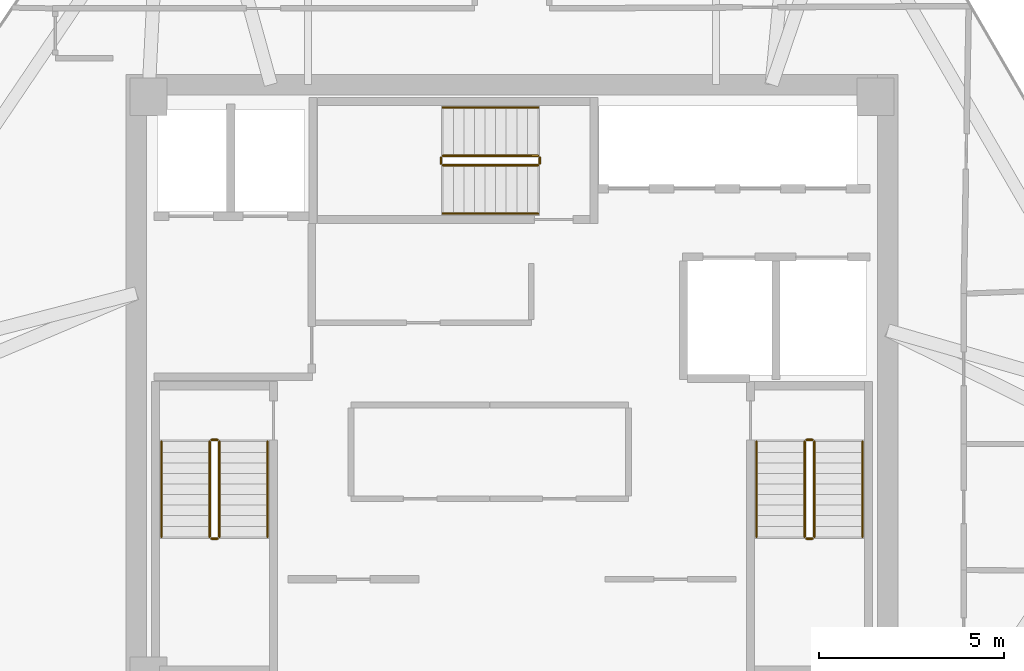
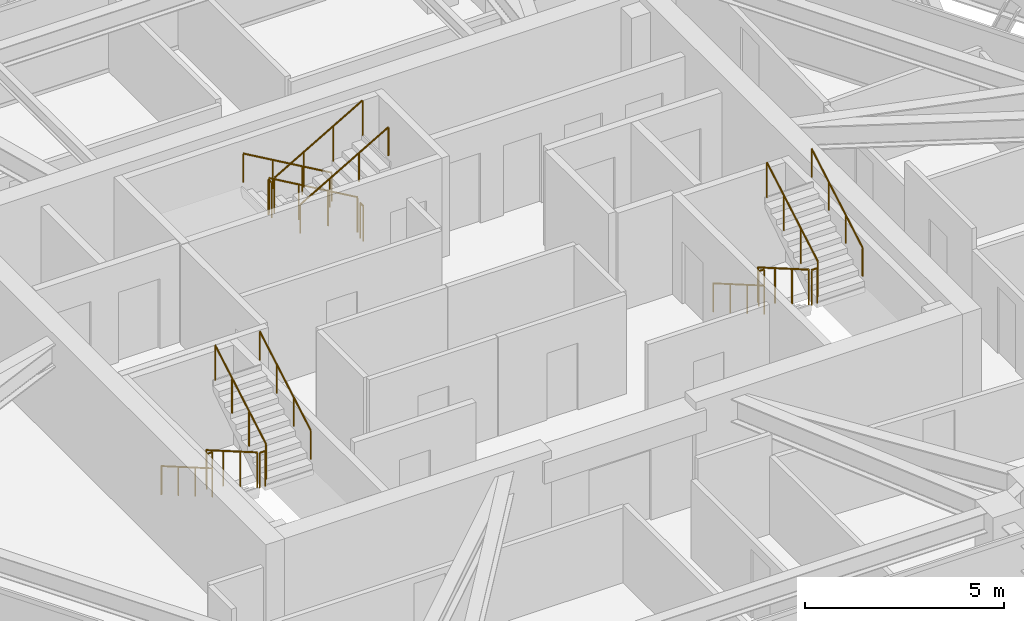
# One storey, part 11 of 11: 18 railings.
"""IFC4 building model written with IfcOpenShell, lengths in metres."""

import ifcopenshell
import ifcopenshell.guid

model = None  # the IFC model being written
_history = None  # IfcOwnerHistory: only IFC2X3 demands one
_inside = {}  # id of a spatial element -> (the spatial element, [elements in it])
_under = {}  # id of a project, library or spatial element -> (it, [spatial elements below it])
_declared = {}  # id of a project -> (the project, [libraries it declares])
_typed = {}  # id of a type object -> (the type object, [elements of that type])
_made_of = {}  # id of a material, layer set ... -> (it, [elements and type objects made of it])


def new_model(schema):
    """Start an empty IFC model of exactly this schema.

    Asked for "IFC4X3", IfcOpenShell would pick the latest addendum, in which some entities
    have other attributes; the version numbers below select the first issue.
    IFC2X3 requires an IfcOwnerHistory on every rooted entity: one is made here for all.
    """
    global model, _history
    if schema == "IFC4X3":
        model = ifcopenshell.file(schema_version=(4, 3, 0, 0))
    else:
        model = ifcopenshell.file(schema=schema)
    _inside.clear()
    _under.clear()
    _declared.clear()
    _typed.clear()
    _made_of.clear()
    _history = None
    if model.schema == "IFC2X3":
        org = make("IfcOrganization", Name="unknown")
        user = make(
            "IfcPersonAndOrganization",
            ThePerson=make("IfcPerson", FamilyName="unknown"),
            TheOrganization=org,
        )
        app = make(
            "IfcApplication",
            ApplicationDeveloper=org,
            Version="unknown",
            ApplicationFullName="unknown",
            ApplicationIdentifier="unknown",
        )
        _history = make(
            "IfcOwnerHistory",
            OwningUser=user,
            OwningApplication=app,
            ChangeAction="ADDED",
            CreationDate=0,
        )
    return model


def make(cls, **values):
    """One entity of the class cls with the attributes given. An attribute that is None is left unset."""
    return model.create_entity(
        cls, **{name: value for name, value in values.items() if value is not None}
    )


def rooted(cls, **values):
    """An entity with a GlobalId (a new one), such as an element, a storey or a relation."""
    return make(cls, GlobalId=ifcopenshell.guid.new(), OwnerHistory=_history, **values)


def si_unit(unit_type, name, prefix=None):
    """IfcSIUnit, for example si_unit("LENGTHUNIT", "METRE", prefix="MILLI")."""
    return make("IfcSIUnit", UnitType=unit_type, Prefix=prefix, Name=name)


def assignment(units):
    """IfcUnitAssignment: the units of a project."""
    return None if units is None else make("IfcUnitAssignment", Units=units)


def point(xyz):
    """IfcCartesianPoint."""
    return None if xyz is None else make("IfcCartesianPoint", Coordinates=xyz)


def direction(xyz):
    """IfcDirection."""
    return None if xyz is None else make("IfcDirection", DirectionRatios=xyz)


def frame(location, z_axis=None, x_axis=None):
    """IfcAxis2Placement3D, a coordinate frame: its origin and axes. An axis left out is left unset."""
    return make(
        "IfcAxis2Placement3D",
        Location=point(location),
        Axis=direction(z_axis),
        RefDirection=direction(x_axis),
    )


def frame_2d(location, x_axis=None):
    """IfcAxis2Placement2D, a coordinate frame in the plane: its origin and x axis."""
    return make(
        "IfcAxis2Placement2D", Location=point(location), RefDirection=direction(x_axis)
    )


def origin():
    """The frame at (0, 0, 0) with its axes left unset."""
    return frame((0.0, 0.0, 0.0))


def origin_2d():
    """The frame at (0, 0) in the plane with its x axis left unset."""
    return frame_2d((0.0, 0.0))


def place(relative_to, where):
    """IfcLocalPlacement: puts the frame where relative to a parent placement (None: the world)."""
    return make(
        "IfcLocalPlacement", PlacementRelTo=relative_to, RelativePlacement=where
    )


def context(
    kind, dimensions, precision=None, world=None, true_north=None, identifier=None
):
    """IfcGeometricRepresentationContext, for example the 3D "Model" context."""
    return make(
        "IfcGeometricRepresentationContext",
        ContextIdentifier=identifier,
        ContextType=kind,
        CoordinateSpaceDimension=dimensions,
        Precision=precision,
        WorldCoordinateSystem=world,
        TrueNorth=true_north,
    )


def subcontext(parent, identifier, kind, view, scale=None):
    """IfcGeometricRepresentationSubContext, for example "Body" below "Model"."""
    return make(
        "IfcGeometricRepresentationSubContext",
        ContextIdentifier=identifier,
        ContextType=kind,
        ParentContext=parent,
        TargetScale=scale,
        TargetView=view,
    )


def project(units=None, contexts=None):
    """IfcProject with its units and contexts."""
    return rooted(
        "IfcProject",
        Name="project",
        RepresentationContexts=contexts,
        UnitsInContext=assignment(units),
    )


def spatial(cls, under=None, at=None, **own):
    """A site, building, storey or space (cls), placed at a placement, below another one or the project."""
    s = rooted(cls, ObjectPlacement=at, **own)
    if under is not None:
        _under.setdefault(under.id(), (under, []))[1].append(s)
    return s


def profile(cls, at=None, kind="AREA", **sizes):
    """A parametric profile (cls). Its sizes go by their IFC names, for example OverallWidth=200.0."""
    return make(cls, ProfileType=kind, Position=at, **sizes)


def circle(**sizes):
    """IfcCircleProfileDef."""
    return profile("IfcCircleProfileDef", **sizes)


def extrude(swept, where, along, depth):
    """IfcExtrudedAreaSolid: the profile swept, set in the frame where, extruded along a direction by depth."""
    return make(
        "IfcExtrudedAreaSolid",
        SweptArea=swept,
        Position=where,
        ExtrudedDirection=direction(along),
        Depth=depth,
    )


def shape(context_of_items, identifier, shape_type, items):
    """IfcShapeRepresentation: the items that make up one representation, for example the "Body"."""
    return make(
        "IfcShapeRepresentation",
        ContextOfItems=context_of_items,
        RepresentationIdentifier=identifier,
        RepresentationType=shape_type,
        Items=items,
    )


def material(Name=None, Category=None):
    """IfcMaterial."""
    return make("IfcMaterial", Name=Name, Category=Category)


def made_of(thing, what):
    """Note that an element or type object is made of a material, layer set ...; save() writes the relation."""
    if what is not None:
        _made_of.setdefault(what.id(), (what, []))[1].append(thing)
    return thing


def type_object(cls, material=None, **own):
    """A type object (cls), such as IfcWallType, which elements share."""
    return made_of(rooted(cls, **own), material)


def element(
    cls,
    number,
    at=None,
    inside=None,
    cuts=None,
    type_object=None,
    material=None,
    context=None,
    identifier="Body",
    shape_type=None,
    held_by="IfcProductDefinitionShape",
    body=None,
    shapes=None,
    **own,
):
    """One element of the class cls, such as IfcWall. Its Tag is "e" and its number.

    at: its placement. inside: the storey or other place that contains it. cuts: it is an
    opening in that element (IfcRelVoidsElement). A single representation is given by context,
    identifier, shape_type and body (its items); several are given by shapes. held_by: the class
    of the entity that holds the representations. save() writes the other relations.
    """
    e = rooted(cls, Tag="e%d" % number, ObjectPlacement=at, **own)
    if body is not None:
        shapes = [shape(context, identifier, shape_type, body)]
    if shapes is not None:
        e.Representation = make(held_by, Representations=shapes)
    if inside is not None:
        _inside.setdefault(inside.id(), (inside, []))[1].append(e)
    if cuts is not None:
        rooted(
            "IfcRelVoidsElement", RelatingBuildingElement=cuts, RelatedOpeningElement=e
        )
    if type_object is not None:
        _typed.setdefault(type_object.id(), (type_object, []))[1].append(e)
    return made_of(e, material)


def aggregate(whole, parts):
    """IfcRelAggregates: a whole, such as a stair, and the parts it consists of."""
    return rooted("IfcRelAggregates", RelatingObject=whole, RelatedObjects=parts)


def save(model, path):
    """Write the relations noted so far, then the file.

    IfcRelAggregates (storeys below a building ...), IfcRelContainedInSpatialStructure (elements
    in a storey), IfcRelDefinesByType, IfcRelAssociatesMaterial and IfcRelDeclares: one each for
    every whole, place, type object, material and project.
    """
    for whole, parts in _under.values():
        aggregate(whole, parts)
    for where, things in _inside.values():
        rooted(
            "IfcRelContainedInSpatialStructure",
            RelatedElements=things,
            RelatingStructure=where,
        )
    for kind, things in _typed.values():
        rooted("IfcRelDefinesByType", RelatedObjects=things, RelatingType=kind)
    for what, things in _made_of.values():
        rooted("IfcRelAssociatesMaterial", RelatedObjects=things, RelatingMaterial=what)
    for by, libraries in _declared.values():
        rooted("IfcRelDeclares", RelatingContext=by, RelatedDefinitions=libraries)
    model.write(path)


model = new_model("IFC4")

# Units and contexts
model_context = context("Model", 3, precision=1e-05, world=origin(), true_north=direction((0.0, 1.0)))
body_context = subcontext(model_context, "Body", "Model", "MODEL_VIEW")
ifc_project = project(units=[si_unit("LENGTHUNIT", "METRE"), si_unit("AREAUNIT", "SQUARE_METRE"), si_unit("VOLUMEUNIT", "CUBIC_METRE"), si_unit("PLANEANGLEUNIT", "RADIAN"), si_unit("MASSUNIT", "GRAM", prefix="KILO")], contexts=[model_context])

# Site, building, storey
site_placement = place(None, origin())
site = spatial("IfcSite", under=ifc_project, at=site_placement, CompositionType="ELEMENT")
building_placement = place(site_placement, origin())
building = spatial("IfcBuilding", under=site, at=building_placement, Name="Durnholm Broadcast Tower", CompositionType="ELEMENT")
storey_placement = place(building_placement, frame((0.0, 0.0, 224.89990234375)))
storey = spatial("IfcBuildingStorey", under=building, at=storey_placement, Name="L62", CompositionType="ELEMENT", Elevation=224.89990234375)

# Railings
ifc_material_1 = material(Name="Painted Tubular Steel Stair Guardrail", Category="steel")
railing_type_1 = type_object("IfcRailingType", Name="RAIL-ST-GRD", PredefinedType="GUARDRAIL", material=ifc_material_1)
railing_1_placement = place(storey_placement, frame((-8.14990234375, -1.5, 0.1650390625)))
element("IfcRailing", 1, at=railing_1_placement, inside=storey, type_object=railing_type_1, Name="L62 ST-1 stair guard 1", PredefinedType="GUARDRAIL", context=body_context, shape_type="SweptSolid", body=[
    extrude(circle(Radius=0.02392578125, at=origin_2d()), frame((0.0, 0.0, 1.076171875), z_axis=(0.0, -0.865405606168, 0.501071987656), x_axis=(1.0, 0.0, 0.0)), (0.0, 0.0, 1.0), 2.9638671875),
    extrude(circle(Radius=0.02099609375, at=origin_2d()), origin(), (0.0, 0.0, 1.0), 1.052001953125),
    extrude(circle(Radius=0.02099609375, at=origin_2d()), frame((0.0, -0.85498046875, 0.4951171875)), (0.0, 0.0, 1.0), 1.052001953125),
    extrude(circle(Radius=0.02099609375, at=origin_2d()), frame((0.0, -1.7099609375, 0.989990234375)), (0.0, 0.0, 1.0), 1.052001953125),
    extrude(circle(Radius=0.02099609375, at=origin_2d()), frame((0.0, -2.56494140625, 1.485107421875)), (0.0, 0.0, 1.0), 1.052001953125),
])
railing_2_placement = place(storey_placement, frame((-8.10009765625, -4.114990234375, 1.650146484375)))
element("IfcRailing", 2, at=railing_2_placement, inside=storey, type_object=railing_type_1, Name="L62 ST-1 stair guard 2", PredefinedType="GUARDRAIL", context=body_context, shape_type="SweptSolid", body=[
    extrude(circle(Radius=0.02392578125, at=origin_2d()), frame((0.0, 0.0, 1.076171875), z_axis=(1.0, 0.0, 0.0), x_axis=(0.0, 1.0, 0.0)), (0.0, 0.0, 1.0), 0.16015625),
    extrude(circle(Radius=0.02099609375, at=origin_2d()), origin(), (0.0, 0.0, 1.0), 1.052001953125),
    extrude(circle(Radius=0.02099609375, at=origin_2d()), frame((0.16015625, 0.0, 0.0)), (0.0, 0.0, 1.0), 1.052001953125),
])
railing_3_placement = place(storey_placement, frame((-7.889892578125, -4.06494140625, 1.815185546875)))
element("IfcRailing", 3, at=railing_3_placement, inside=storey, type_object=railing_type_1, Name="L62 ST-1 stair guard 3", PredefinedType="GUARDRAIL", context=body_context, shape_type="SweptSolid", body=[
    extrude(circle(Radius=0.02392578125, at=origin_2d()), frame((0.0, 0.0, 1.076171875), z_axis=(0.0, 0.865441324677, 0.50101029285), x_axis=(-1.0, 0.0, 0.0)), (0.0, 0.0, 1.0), 2.963623046875),
    extrude(circle(Radius=0.02099609375, at=origin_2d()), origin(), (0.0, 0.0, 1.0), 1.052001953125),
    extrude(circle(Radius=0.02099609375, at=origin_2d()), frame((0.0, 0.85498046875, 0.494873046875)), (0.0, 0.0, 1.0), 1.052001953125),
    extrude(circle(Radius=0.02099609375, at=origin_2d()), frame((0.0, 1.7099609375, 0.989990234375)), (0.0, 0.0, 1.0), 1.052001953125),
    extrude(circle(Radius=0.02099609375, at=origin_2d()), frame((0.0, 2.56494140625, 1.48486328125)), (0.0, 0.0, 1.0), 1.052001953125),
])
railing_4_placement = place(storey_placement, frame((-8.10009765625, -1.449951171875, 0.0)))
element("IfcRailing", 4, at=railing_4_placement, inside=storey, type_object=railing_type_1, Name="L62 ST-1 stair guard 4", PredefinedType="GUARDRAIL", context=body_context, shape_type="SweptSolid", body=[
    extrude(circle(Radius=0.02392578125, at=origin_2d()), frame((0.0, 0.0, 1.076171875), z_axis=(1.0, 0.0, 0.0), x_axis=(0.0, 1.0, 0.0)), (0.0, 0.0, 1.0), 0.16015625),
    extrude(circle(Radius=0.02099609375, at=origin_2d()), origin(), (0.0, 0.0, 1.0), 1.052001953125),
    extrude(circle(Radius=0.02099609375, at=origin_2d()), frame((0.16015625, 0.0, 0.0)), (0.0, 0.0, 1.0), 1.052001953125),
])
railing_5_placement = place(storey_placement, frame((7.889892578125, -1.5, 0.1650390625)))
element("IfcRailing", 5, at=railing_5_placement, inside=storey, type_object=railing_type_1, Name="L62 ST-2 stair guard 1", PredefinedType="GUARDRAIL", context=body_context, shape_type="SweptSolid", body=[
    extrude(circle(Radius=0.02392578125, at=origin_2d()), frame((0.0, 0.0, 1.076171875), z_axis=(0.0, -0.865405606168, 0.501071987656), x_axis=(1.0, 0.0, 0.0)), (0.0, 0.0, 1.0), 2.9638671875),
    extrude(circle(Radius=0.02099609375, at=origin_2d()), origin(), (0.0, 0.0, 1.0), 1.052001953125),
    extrude(circle(Radius=0.02099609375, at=origin_2d()), frame((0.0, -0.85498046875, 0.4951171875)), (0.0, 0.0, 1.0), 1.052001953125),
    extrude(circle(Radius=0.02099609375, at=origin_2d()), frame((0.0, -1.7099609375, 0.989990234375)), (0.0, 0.0, 1.0), 1.052001953125),
    extrude(circle(Radius=0.02099609375, at=origin_2d()), frame((0.0, -2.56494140625, 1.485107421875)), (0.0, 0.0, 1.0), 1.052001953125),
])
railing_6_placement = place(storey_placement, frame((7.93994140625, -4.114990234375, 1.650146484375)))
element("IfcRailing", 6, at=railing_6_placement, inside=storey, type_object=railing_type_1, Name="L62 ST-2 stair guard 2", PredefinedType="GUARDRAIL", context=body_context, shape_type="SweptSolid", body=[
    extrude(circle(Radius=0.02392578125, at=origin_2d()), frame((0.0, 0.0, 1.076171875), z_axis=(1.0, 0.0, 0.0), x_axis=(0.0, 1.0, 0.0)), (0.0, 0.0, 1.0), 0.16015625),
    extrude(circle(Radius=0.02099609375, at=origin_2d()), origin(), (0.0, 0.0, 1.0), 1.052001953125),
    extrude(circle(Radius=0.02099609375, at=origin_2d()), frame((0.16015625, 0.0, 0.0)), (0.0, 0.0, 1.0), 1.052001953125),
])
railing_7_placement = place(storey_placement, frame((8.14990234375, -4.06494140625, 1.815185546875)))
element("IfcRailing", 7, at=railing_7_placement, inside=storey, type_object=railing_type_1, Name="L62 ST-2 stair guard 3", PredefinedType="GUARDRAIL", context=body_context, shape_type="SweptSolid", body=[
    extrude(circle(Radius=0.02392578125, at=origin_2d()), frame((0.0, 0.0, 1.076171875), z_axis=(0.0, 0.865441324677, 0.50101029285), x_axis=(-1.0, 0.0, 0.0)), (0.0, 0.0, 1.0), 2.963623046875),
    extrude(circle(Radius=0.02099609375, at=origin_2d()), origin(), (0.0, 0.0, 1.0), 1.052001953125),
    extrude(circle(Radius=0.02099609375, at=origin_2d()), frame((0.0, 0.85498046875, 0.494873046875)), (0.0, 0.0, 1.0), 1.052001953125),
    extrude(circle(Radius=0.02099609375, at=origin_2d()), frame((0.0, 1.7099609375, 0.989990234375)), (0.0, 0.0, 1.0), 1.052001953125),
    extrude(circle(Radius=0.02099609375, at=origin_2d()), frame((0.0, 2.56494140625, 1.48486328125)), (0.0, 0.0, 1.0), 1.052001953125),
])
railing_8_placement = place(storey_placement, frame((7.93994140625, -1.449951171875, 0.0)))
element("IfcRailing", 8, at=railing_8_placement, inside=storey, type_object=railing_type_1, Name="L62 ST-2 stair guard 4", PredefinedType="GUARDRAIL", context=body_context, shape_type="SweptSolid", body=[
    extrude(circle(Radius=0.02392578125, at=origin_2d()), frame((0.0, 0.0, 1.076171875), z_axis=(1.0, 0.0, 0.0), x_axis=(0.0, 1.0, 0.0)), (0.0, 0.0, 1.0), 0.16015625),
    extrude(circle(Radius=0.02099609375, at=origin_2d()), origin(), (0.0, 0.0, 1.0), 1.052001953125),
    extrude(circle(Radius=0.02099609375, at=origin_2d()), frame((0.16015625, 0.0, 0.0)), (0.0, 0.0, 1.0), 1.052001953125),
])
railing_9_placement = place(storey_placement, frame((0.699951171875, 6.2099609375, 0.1650390625)))
element("IfcRailing", 9, at=railing_9_placement, inside=storey, type_object=railing_type_1, Name="L62 ST-3 stair guard 1", PredefinedType="GUARDRAIL", context=body_context, shape_type="SweptSolid", body=[
    extrude(circle(Radius=0.02392578125, at=origin_2d()), frame((0.0, 0.0, 1.076171875), z_axis=(-0.865405606168, 0.0, 0.501071987656), x_axis=(0.0, -1.0, 0.0)), (0.0, 0.0, 1.0), 2.9638671875),
    extrude(circle(Radius=0.02099609375, at=origin_2d()), origin(), (0.0, 0.0, 1.0), 1.052001953125),
    extrude(circle(Radius=0.02099609375, at=origin_2d()), frame((-0.85498046875, 0.0, 0.4951171875)), (0.0, 0.0, 1.0), 1.052001953125),
    extrude(circle(Radius=0.02099609375, at=origin_2d()), frame((-1.7099609375, 0.0, 0.989990234375)), (0.0, 0.0, 1.0), 1.052001953125),
    extrude(circle(Radius=0.02099609375, at=origin_2d()), frame((-2.56494140625, 0.0, 1.485107421875)), (0.0, 0.0, 1.0), 1.052001953125),
])
railing_10_placement = place(storey_placement, frame((-1.9150390625, 6.159912109375, 1.650146484375)))
element("IfcRailing", 10, at=railing_10_placement, inside=storey, type_object=railing_type_1, Name="L62 ST-3 stair guard 2", PredefinedType="GUARDRAIL", context=body_context, shape_type="SweptSolid", body=[
    extrude(circle(Radius=0.02392578125, at=origin_2d()), frame((0.0, 0.0, 1.076171875), z_axis=(0.0, -1.0, 0.0), x_axis=(1.0, 0.0, 0.0)), (0.0, 0.0, 1.0), 0.159912109375),
    extrude(circle(Radius=0.02099609375, at=origin_2d()), origin(), (0.0, 0.0, 1.0), 1.052001953125),
    extrude(circle(Radius=0.02099609375, at=origin_2d()), frame((0.0, -0.159912109375, 0.0)), (0.0, 0.0, 1.0), 1.052001953125),
])
railing_11_placement = place(storey_placement, frame((-1.864990234375, 5.949951171875, 1.815185546875)))
element("IfcRailing", 11, at=railing_11_placement, inside=storey, type_object=railing_type_1, Name="L62 ST-3 stair guard 3", PredefinedType="GUARDRAIL", context=body_context, shape_type="SweptSolid", body=[
    extrude(circle(Radius=0.02392578125, at=origin_2d()), frame((0.0, 0.0, 1.076171875), z_axis=(0.865441324677, 0.0, 0.50101029285), x_axis=(0.0, 1.0, 0.0)), (0.0, 0.0, 1.0), 2.963623046875),
    extrude(circle(Radius=0.02099609375, at=origin_2d()), origin(), (0.0, 0.0, 1.0), 1.052001953125),
    extrude(circle(Radius=0.02099609375, at=origin_2d()), frame((0.85498046875, 0.0, 0.494873046875)), (0.0, 0.0, 1.0), 1.052001953125),
    extrude(circle(Radius=0.02099609375, at=origin_2d()), frame((1.7099609375, 0.0, 0.989990234375)), (0.0, 0.0, 1.0), 1.052001953125),
    extrude(circle(Radius=0.02099609375, at=origin_2d()), frame((2.56494140625, 0.0, 1.48486328125)), (0.0, 0.0, 1.0), 1.052001953125),
])
railing_12_placement = place(storey_placement, frame((0.75, 6.159912109375, 0.0)))
element("IfcRailing", 12, at=railing_12_placement, inside=storey, type_object=railing_type_1, Name="L62 ST-3 stair guard 4", PredefinedType="GUARDRAIL", context=body_context, shape_type="SweptSolid", body=[
    extrude(circle(Radius=0.02392578125, at=origin_2d()), frame((0.0, 0.0, 1.076171875), z_axis=(0.0, -1.0, 0.0), x_axis=(1.0, 0.0, 0.0)), (0.0, 0.0, 1.0), 0.159912109375),
    extrude(circle(Radius=0.02099609375, at=origin_2d()), origin(), (0.0, 0.0, 1.0), 1.052001953125),
    extrude(circle(Radius=0.02099609375, at=origin_2d()), frame((0.0, -0.159912109375, 0.0)), (0.0, 0.0, 1.0), 1.052001953125),
])
ifc_material_2 = material(Name="Brushed Stainless Steel Handrail", Category="steel")
railing_type_2 = type_object("IfcRailingType", Name="RAIL-ST-HND", PredefinedType="HANDRAIL", material=ifc_material_2)
railing_13_placement = place(storey_placement, frame((-9.449951171875, -1.5, 0.330078125)))
element("IfcRailing", 13, at=railing_13_placement, inside=storey, type_object=railing_type_2, Name="L62 ST-1 stair handrail 1", PredefinedType="HANDRAIL", context=body_context, shape_type="SweptSolid", body=[
    extrude(circle(Radius=0.02392578125, at=origin_2d()), frame((0.0, 0.0, 0.8759765625), z_axis=(0.0, -0.865405606168, 0.501071987656), x_axis=(1.0, 0.0, 0.0)), (0.0, 0.0, 1.0), 2.9638671875),
    extrude(circle(Radius=0.02099609375, at=origin_2d()), origin(), (0.0, 0.0, 1.0), 0.851806640625),
    extrude(circle(Radius=0.02099609375, at=origin_2d()), frame((0.0, -0.85498046875, 0.4951171875)), (0.0, 0.0, 1.0), 0.851806640625),
    extrude(circle(Radius=0.02099609375, at=origin_2d()), frame((0.0, -1.7099609375, 0.989990234375)), (0.0, 0.0, 1.0), 0.851806640625),
    extrude(circle(Radius=0.02099609375, at=origin_2d()), frame((0.0, -2.56494140625, 1.485107421875)), (0.0, 0.0, 1.0), 0.851806640625),
])
railing_14_placement = place(storey_placement, frame((-6.590087890625, -4.06494140625, 1.97998046875)))
element("IfcRailing", 14, at=railing_14_placement, inside=storey, type_object=railing_type_2, Name="L62 ST-1 stair handrail 2", PredefinedType="HANDRAIL", context=body_context, shape_type="SweptSolid", body=[
    extrude(circle(Radius=0.02392578125, at=origin_2d()), frame((0.0, 0.0, 0.8759765625), z_axis=(0.0, 0.865405606168, 0.501071987656), x_axis=(-1.0, 0.0, 0.0)), (0.0, 0.0, 1.0), 2.9638671875),
    extrude(circle(Radius=0.02099609375, at=origin_2d()), origin(), (0.0, 0.0, 1.0), 0.851806640625),
    extrude(circle(Radius=0.02099609375, at=origin_2d()), frame((0.0, 0.85498046875, 0.4951171875)), (0.0, 0.0, 1.0), 0.851806640625),
    extrude(circle(Radius=0.02099609375, at=origin_2d()), frame((0.0, 1.7099609375, 0.989990234375)), (0.0, 0.0, 1.0), 0.851806640625),
    extrude(circle(Radius=0.02099609375, at=origin_2d()), frame((0.0, 2.56494140625, 1.485107421875)), (0.0, 0.0, 1.0), 0.851806640625),
])
railing_15_placement = place(storey_placement, frame((6.590087890625, -1.5, 0.330078125)))
element("IfcRailing", 15, at=railing_15_placement, inside=storey, type_object=railing_type_2, Name="L62 ST-2 stair handrail 1", PredefinedType="HANDRAIL", context=body_context, shape_type="SweptSolid", body=[
    extrude(circle(Radius=0.02392578125, at=origin_2d()), frame((0.0, 0.0, 0.8759765625), z_axis=(0.0, -0.865405606168, 0.501071987656), x_axis=(1.0, 0.0, 0.0)), (0.0, 0.0, 1.0), 2.9638671875),
    extrude(circle(Radius=0.02099609375, at=origin_2d()), origin(), (0.0, 0.0, 1.0), 0.851806640625),
    extrude(circle(Radius=0.02099609375, at=origin_2d()), frame((0.0, -0.85498046875, 0.4951171875)), (0.0, 0.0, 1.0), 0.851806640625),
    extrude(circle(Radius=0.02099609375, at=origin_2d()), frame((0.0, -1.7099609375, 0.989990234375)), (0.0, 0.0, 1.0), 0.851806640625),
    extrude(circle(Radius=0.02099609375, at=origin_2d()), frame((0.0, -2.56494140625, 1.485107421875)), (0.0, 0.0, 1.0), 0.851806640625),
])
railing_16_placement = place(storey_placement, frame((9.449951171875, -4.06494140625, 1.97998046875)))
element("IfcRailing", 16, at=railing_16_placement, inside=storey, type_object=railing_type_2, Name="L62 ST-2 stair handrail 2", PredefinedType="HANDRAIL", context=body_context, shape_type="SweptSolid", body=[
    extrude(circle(Radius=0.02392578125, at=origin_2d()), frame((0.0, 0.0, 0.8759765625), z_axis=(0.0, 0.865405606168, 0.501071987656), x_axis=(-1.0, 0.0, 0.0)), (0.0, 0.0, 1.0), 2.9638671875),
    extrude(circle(Radius=0.02099609375, at=origin_2d()), origin(), (0.0, 0.0, 1.0), 0.851806640625),
    extrude(circle(Radius=0.02099609375, at=origin_2d()), frame((0.0, 0.85498046875, 0.4951171875)), (0.0, 0.0, 1.0), 0.851806640625),
    extrude(circle(Radius=0.02099609375, at=origin_2d()), frame((0.0, 1.7099609375, 0.989990234375)), (0.0, 0.0, 1.0), 0.851806640625),
    extrude(circle(Radius=0.02099609375, at=origin_2d()), frame((0.0, 2.56494140625, 1.485107421875)), (0.0, 0.0, 1.0), 0.851806640625),
])
railing_17_placement = place(storey_placement, frame((0.699951171875, 7.510009765625, 0.330078125)))
element("IfcRailing", 17, at=railing_17_placement, inside=storey, type_object=railing_type_2, Name="L62 ST-3 stair handrail 1", PredefinedType="HANDRAIL", context=body_context, shape_type="SweptSolid", body=[
    extrude(circle(Radius=0.02392578125, at=origin_2d()), frame((0.0, 0.0, 0.8759765625), z_axis=(-0.865405606168, 0.0, 0.501071987656), x_axis=(0.0, -1.0, 0.0)), (0.0, 0.0, 1.0), 2.9638671875),
    extrude(circle(Radius=0.02099609375, at=origin_2d()), origin(), (0.0, 0.0, 1.0), 0.851806640625),
    extrude(circle(Radius=0.02099609375, at=origin_2d()), frame((-0.85498046875, 0.0, 0.4951171875)), (0.0, 0.0, 1.0), 0.851806640625),
    extrude(circle(Radius=0.02099609375, at=origin_2d()), frame((-1.7099609375, 0.0, 0.989990234375)), (0.0, 0.0, 1.0), 0.851806640625),
    extrude(circle(Radius=0.02099609375, at=origin_2d()), frame((-2.56494140625, 0.0, 1.485107421875)), (0.0, 0.0, 1.0), 0.851806640625),
])
railing_18_placement = place(storey_placement, frame((-1.864990234375, 4.64990234375, 1.97998046875)))
element("IfcRailing", 18, at=railing_18_placement, inside=storey, type_object=railing_type_2, Name="L62 ST-3 stair handrail 2", PredefinedType="HANDRAIL", context=body_context, shape_type="SweptSolid", body=[
    extrude(circle(Radius=0.02392578125, at=origin_2d()), frame((0.0, 0.0, 0.8759765625), z_axis=(0.865405606168, 0.0, 0.501071987656), x_axis=(0.0, 1.0, 0.0)), (0.0, 0.0, 1.0), 2.9638671875),
    extrude(circle(Radius=0.02099609375, at=origin_2d()), origin(), (0.0, 0.0, 1.0), 0.851806640625),
    extrude(circle(Radius=0.02099609375, at=origin_2d()), frame((0.85498046875, 0.0, 0.4951171875)), (0.0, 0.0, 1.0), 0.851806640625),
    extrude(circle(Radius=0.02099609375, at=origin_2d()), frame((1.7099609375, 0.0, 0.989990234375)), (0.0, 0.0, 1.0), 0.851806640625),
    extrude(circle(Radius=0.02099609375, at=origin_2d()), frame((2.56494140625, 0.0, 1.485107421875)), (0.0, 0.0, 1.0), 0.851806640625),
])

save(model, "model.ifc")
